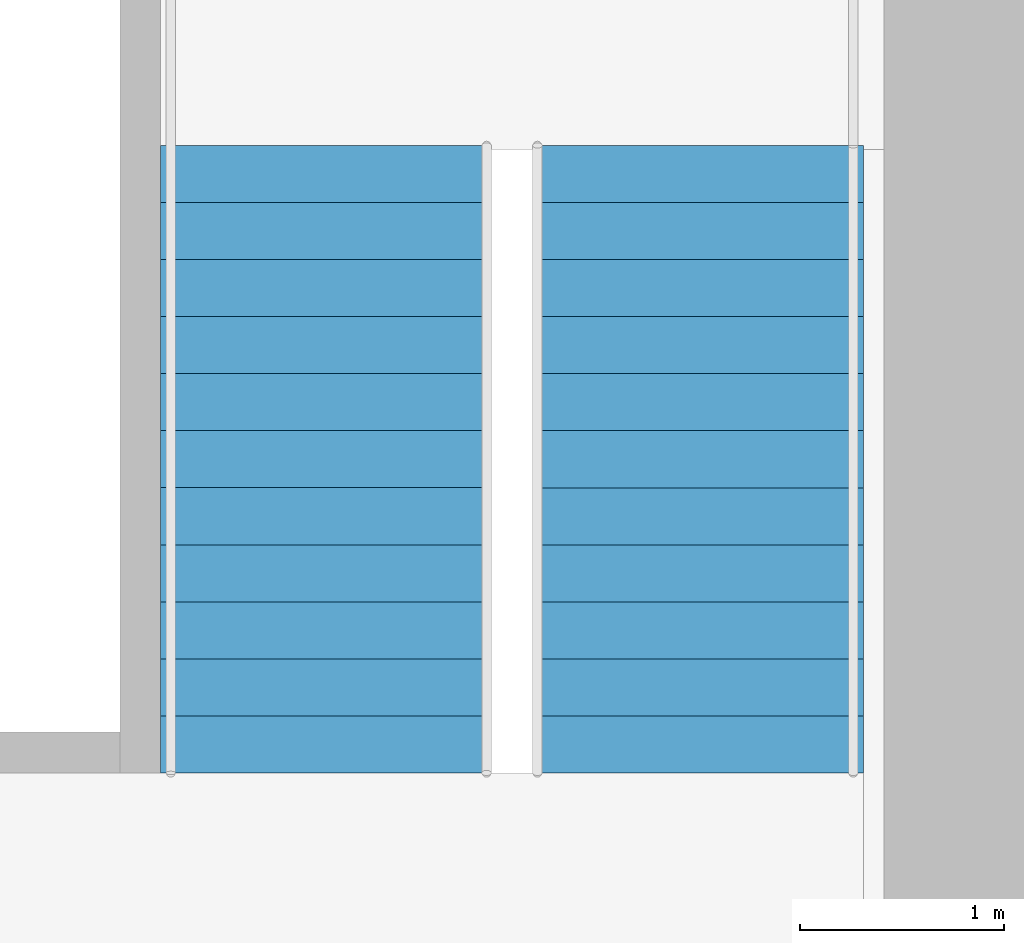
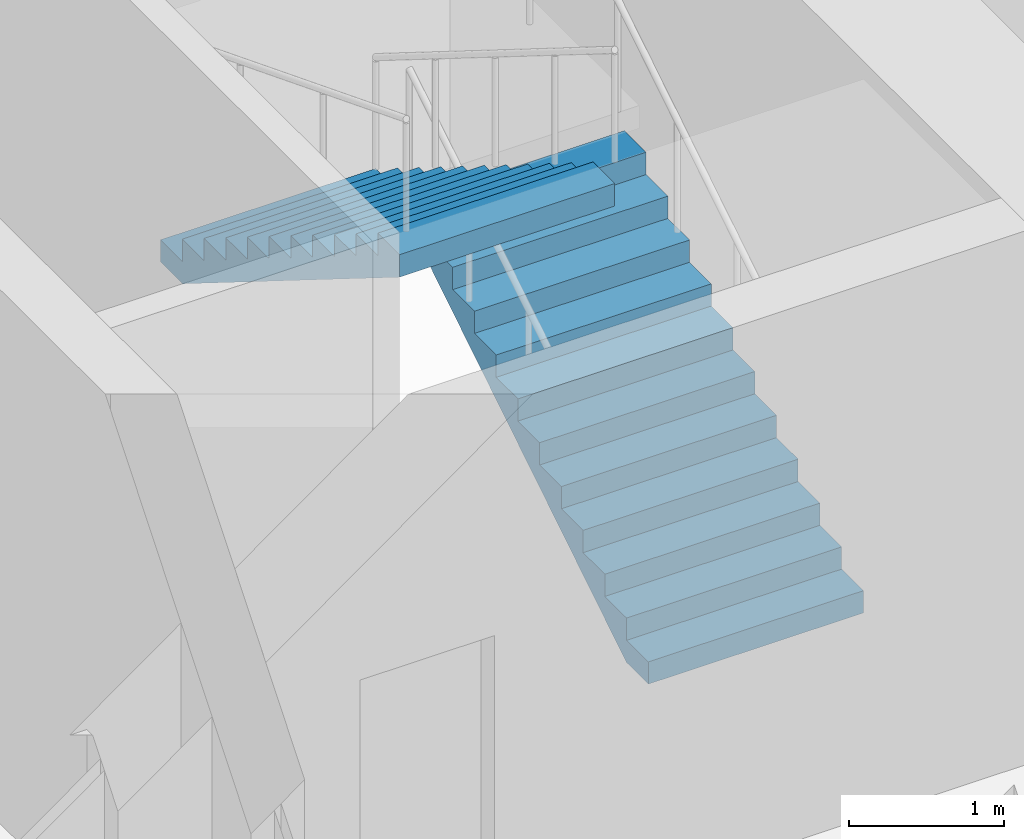
# One storey, part 11 of 12: 2 stair flights, 1 element without a shape of its own.
"""IFC4 building model written with IfcOpenShell, lengths in metres."""

from ifc_helpers import new_model, si_unit, direction, frame, origin, place, context, subcontext, project, spatial, polyline, outline, extrude, material, type_object, element, aggregate, save


model = new_model("IFC4")

# Units and contexts
model_context = context("Model", 3, precision=1e-05, world=origin(), true_north=direction((0.0, 1.0)))
body_context = subcontext(model_context, "Body", "Model", "MODEL_VIEW")
ifc_project = project(units=[si_unit("LENGTHUNIT", "METRE"), si_unit("AREAUNIT", "SQUARE_METRE"), si_unit("VOLUMEUNIT", "CUBIC_METRE"), si_unit("PLANEANGLEUNIT", "RADIAN"), si_unit("MASSUNIT", "GRAM", prefix="KILO")], contexts=[model_context])

# Site, building, storey
site_placement = place(None, origin())
site = spatial("IfcSite", under=ifc_project, at=site_placement, CompositionType="ELEMENT")
building_placement = place(site_placement, origin())
building = spatial("IfcBuilding", under=site, at=building_placement, Name="Ghaith Harvest Tower", CompositionType="ELEMENT")
storey_placement = place(building_placement, frame((0.0, 0.0, 296.39990234375)))
storey = spatial("IfcBuildingStorey", under=building, at=storey_placement, Name="L66", CompositionType="ELEMENT", Elevation=296.39990234375)

# Stair, stair flights
ifc_material_1 = material(Name="Concrete C40/50, precast", Category="concrete")
stair_type = type_object("IfcStairType", Name="CORE STAIR 24R", PredefinedType="HALF_TURN_STAIR", material=ifc_material_1)
stair_placement = place(storey_placement, origin())
stair = element("IfcStair", 1, at=stair_placement, inside=storey, type_object=stair_type, Name="Stair ST2 L66", PredefinedType="HALF_TURN_STAIR")
ifc_material_2 = material(Name="Concrete C40/50, precast", Category="concrete")
stair_flight_type = type_object("IfcStairFlightType", Name="CORE FLIGHT 12R 1600", PredefinedType="STRAIGHT", material=ifc_material_2)
stair_flight_1_placement = place(storey_placement, frame((12.0, 3.39990234375, 0.0), z_axis=(0.0, 0.0, 1.0), x_axis=(0.0, 1.0, 0.0)))
stair_flight_1 = element("IfcStairFlight", 2, at=stair_flight_1_placement, type_object=stair_flight_type, Name="ST2 flight 1", NumberOfRisers=12, NumberOfTreads=11, PredefinedType="STRAIGHT", RiserHeight=0.175, TreadLength=0.28, context=body_context, shape_type="SweptSolid", body=[
    extrude(outline(polyline([(0.0, 0.0), (0.0, 0.175048828125), (0.280029296875, 0.175048828125), (0.280029296875, 0.35009765625), (0.56005859375, 0.35009765625), (0.56005859375, 0.52490234375), (0.840087890625, 0.52490234375), (0.840087890625, 0.699951171875), (1.1201171875, 0.699951171875), (1.1201171875, 0.875), (1.39990234375, 0.875), (1.39990234375, 1.050048828125), (1.679931640625, 1.050048828125), (1.679931640625, 1.22509765625), (1.9599609375, 1.22509765625), (1.9599609375, 1.39990234375), (2.239990234375, 1.39990234375), (2.239990234375, 1.574951171875), (2.52001953125, 1.574951171875), (2.52001953125, 1.75), (2.800048828125, 1.75), (2.800048828125, 1.925048828125), (3.080078125, 1.925048828125), (3.080078125, 2.10009765625), (3.080078125, 1.748291015625), (0.28271484375, 0.0), (0.0, 0.0)])), frame((0.0, 0.800048828125, 0.0), z_axis=(0.0, -1.0, 0.0), x_axis=(1.0, 0.0, 0.0)), (0.0, 0.0, 1.0), 1.60009765625),
])
stair_flight_2_placement = place(storey_placement, frame((10.14990234375, 6.47998046875, 2.10009765625), z_axis=(0.0, 0.0, 1.0), x_axis=(0.0, -1.0, 0.0)))
stair_flight_2 = element("IfcStairFlight", 3, at=stair_flight_2_placement, type_object=stair_flight_type, Name="ST2 flight 2", NumberOfRisers=12, NumberOfTreads=11, PredefinedType="STRAIGHT", RiserHeight=0.175, TreadLength=0.28, context=body_context, shape_type="SweptSolid", body=[
    extrude(outline(polyline([(0.0, 0.0), (0.0, 0.175048828125), (0.280029296875, 0.175048828125), (0.280029296875, 0.35009765625), (0.56005859375, 0.35009765625), (0.56005859375, 0.52490234375), (0.840087890625, 0.52490234375), (0.840087890625, 0.699951171875), (1.1201171875, 0.699951171875), (1.1201171875, 0.875), (1.39990234375, 0.875), (1.39990234375, 1.050048828125), (1.679931640625, 1.050048828125), (1.679931640625, 1.22509765625), (1.9599609375, 1.22509765625), (1.9599609375, 1.39990234375), (2.239990234375, 1.39990234375), (2.239990234375, 1.574951171875), (2.52001953125, 1.574951171875), (2.52001953125, 1.75), (2.800048828125, 1.75), (2.800048828125, 1.925048828125), (3.080078125, 1.925048828125), (3.080078125, 2.10009765625), (3.080078125, 1.748291015625), (0.28271484375, 0.0), (0.0, 0.0)])), frame((0.0, 0.800048828125, 0.0), z_axis=(0.0, -1.0, 0.0), x_axis=(1.0, 0.0, 0.0)), (0.0, 0.0, 1.0), 1.60009765625),
])
aggregate(stair, [stair_flight_1, stair_flight_2])

save(model, "model.ifc")
